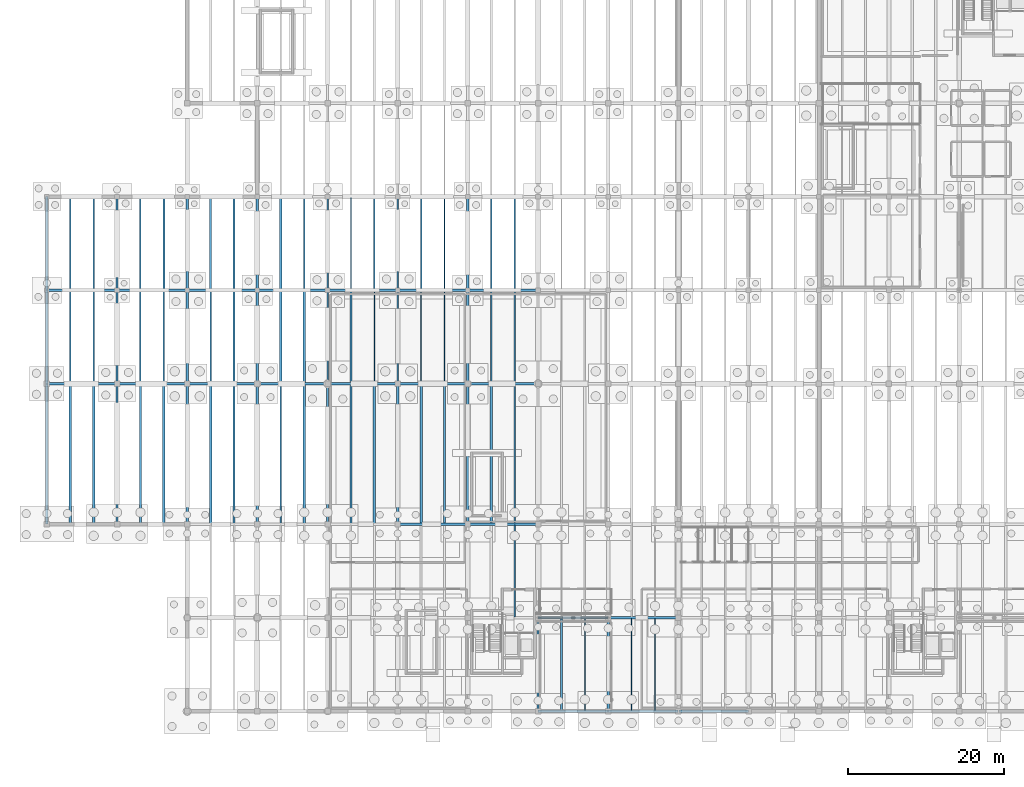
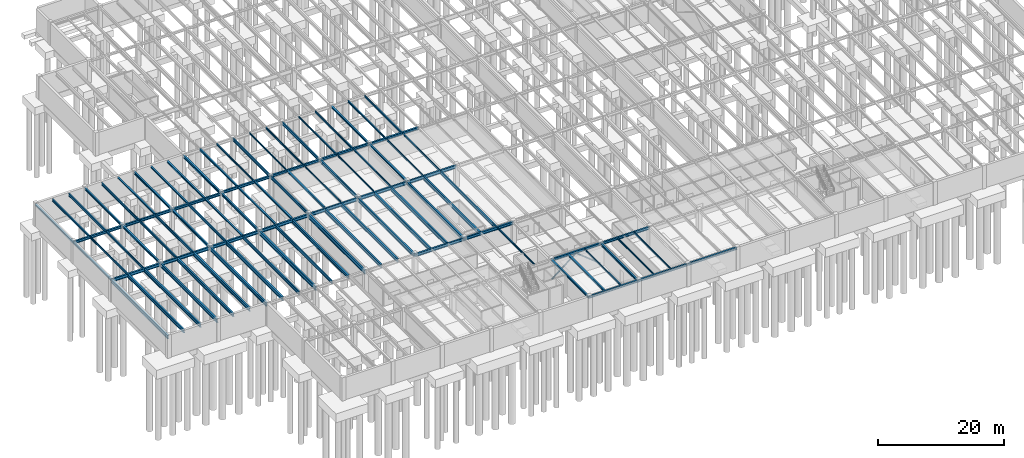
# One storey, part 15 of 40: 91 beams, 2 members.
"""IFC4 building model written with IfcOpenShell, lengths in metres."""

from ifc_helpers import new_model, si_unit, direction, frame, origin, origin_2d, place, context, subcontext, project, spatial, hollow_circle, i_section, extrude, material, material_profile, profile_set, type_object, element, save


model = new_model("IFC4")

# Units and contexts
model_context = context("Model", 3, precision=1e-05, world=origin(), true_north=direction((0.0, 1.0)))
body_context = subcontext(model_context, "Body", "Model", "MODEL_VIEW")
ifc_project = project(units=[si_unit("LENGTHUNIT", "METRE"), si_unit("AREAUNIT", "SQUARE_METRE"), si_unit("VOLUMEUNIT", "CUBIC_METRE"), si_unit("PLANEANGLEUNIT", "RADIAN"), si_unit("MASSUNIT", "GRAM", prefix="KILO")], contexts=[model_context])

# Site, building, storey
site_placement = place(None, origin())
site = spatial("IfcSite", under=ifc_project, at=site_placement, CompositionType="ELEMENT")
building_placement = place(site_placement, origin())
building = spatial("IfcBuilding", under=site, at=building_placement, Name="Montelvaro Courts of Justice", CompositionType="ELEMENT")
storey_placement = place(building_placement, frame((0.0, 0.0, -4.5)))
storey = spatial("IfcBuildingStorey", under=building, at=storey_placement, Name="B01", CompositionType="ELEMENT", Elevation=-4.5)

# Beams
ifc_material = material(Name="Steel S355", Category="steel")
ifc_material_profile_1 = material_profile(ifc_material, i_section(OverallWidth=0.280029296875, OverallDepth=0.27001953125, WebThickness=0.008056640625, FlangeThickness=0.012939453125, at=origin_2d()), Name="HEA 280")
ifc_profile_set_1 = profile_set([ifc_material_profile_1], Name="Steel S355")
beam_type_1 = type_object("IfcBeamType", Name="Beam_HEA280", PredefinedType="BEAM", material=ifc_profile_set_1)
for number, where, z_axis, x_axis, name in (
    (1, (15.0, 54.110107421875, 4.02490234375), (0.0, 1.0, 0.0), (-1.0, 0.0, 0.0), "Beam B-14 B01"),
    (2, (24.0, 42.110107421875, 4.02490234375), (0.0, 1.0, 0.0), (-1.0, 0.0, 0.0), "Beam B-14 B01"),
    (3, (21.0, 54.110107421875, 4.02490234375), (0.0, 1.0, 0.0), (-1.0, 0.0, 0.0), "Beam B-14 B01"),
    (4, (30.0, 42.110107421875, 4.18505859375), (0.0, 1.0, 0.0), (-1.0, 0.0, 0.0), "Beam B-14 B01"),
):
    element("IfcBeam", number, at=place(storey_placement, frame(where, z_axis=z_axis, x_axis=x_axis)), inside=storey, type_object=beam_type_1, Name=name, PredefinedType="BEAM", context=body_context, shape_type="SweptSolid", body=[
        extrude(i_section(OverallWidth=0.280029296875, OverallDepth=0.27001953125, WebThickness=0.008056640625, FlangeThickness=0.012939453125, at=origin_2d()), origin(), (0.0, 0.0, 1.0), 11.77978515625),
    ])
ifc_material_profile_2 = material_profile(ifc_material, i_section(OverallWidth=0.300048828125, OverallDepth=0.31005859375, WebThickness=0.009033203125, FlangeThickness=0.015380859375, at=origin_2d()), Name="HEA 320")
ifc_profile_set_2 = profile_set([ifc_material_profile_2], Name="Steel S355")
beam_type_2 = type_object("IfcBeamType", Name="Beam_HEA320", PredefinedType="BEAM", material=ifc_profile_set_2)
for number, where, z_axis, x_axis, name in (
    (5, (24.0, 54.110107421875, 4.0048828125), (0.0, 1.0, 0.0), (-1.0, 0.0, 0.0), "Beam B-15 B01"),
    (6, (33.0, 42.110107421875, 4.1650390625), (0.0, 1.0, 0.0), (-1.0, 0.0, 0.0), "Beam B-15 B01"),
    (7, (30.0, 54.110107421875, 4.1650390625), (0.0, 1.0, 0.0), (-1.0, 0.0, 0.0), "Beam B-15 B01"),
    (8, (39.0, 42.110107421875, 4.1650390625), (0.0, 1.0, 0.0), (-1.0, 0.0, 0.0), "Beam B-15 B01"),
    (9, (66.0, 0.110107421875, 4.02490234375), (0.0, 1.0, 0.0), (-1.0, 0.0, 0.0), "Beam B-15 B01"),
):
    element("IfcBeam", number, at=place(storey_placement, frame(where, z_axis=z_axis, x_axis=x_axis)), inside=storey, type_object=beam_type_2, Name=name, PredefinedType="BEAM", context=body_context, shape_type="SweptSolid", body=[
        extrude(i_section(OverallWidth=0.300048828125, OverallDepth=0.31005859375, WebThickness=0.009033203125, FlangeThickness=0.015380859375, at=origin_2d()), origin(), (0.0, 0.0, 1.0), 11.77978515625),
    ])
ifc_material_profile_3 = material_profile(ifc_material, i_section(OverallWidth=0.300048828125, OverallDepth=0.35009765625, WebThickness=0.010009765625, FlangeThickness=0.017578125, at=origin_2d()), Name="HEA 360")
ifc_profile_set_3 = profile_set([ifc_material_profile_3], Name="Steel S355")
beam_type_3 = type_object("IfcBeamType", Name="Beam_HEA360", PredefinedType="USERDEFINED", material=ifc_profile_set_3)
for number, where, z_axis, x_axis, name in (
    (10, (0.0, 42.0, 3.985107421875), (0.0, 1.0, 0.0), (-1.0, 0.0, 0.0), "Beam B-16 B01"),
    (11, (0.0, 54.0, 3.985107421875), (0.0, 1.0, 0.0), (-1.0, 0.0, 0.0), "Beam B-16 B01"),
    (12, (54.0, 42.0, 4.044921875), (0.0, 1.0, 0.0), (-1.0, 0.0, 0.0), "Beam B-16 B01"),
    (13, (54.0, 54.0, 4.044921875), (0.0, 1.0, 0.0), (-1.0, 0.0, 0.0), "Beam B-16 B01"),
):
    element("IfcBeam", number, at=place(storey_placement, frame(where, z_axis=z_axis, x_axis=x_axis)), inside=storey, type_object=beam_type_3, Name=name, ObjectType="GIRDER", PredefinedType="USERDEFINED", context=body_context, shape_type="SweptSolid", body=[
        extrude(i_section(OverallWidth=0.300048828125, OverallDepth=0.35009765625, WebThickness=0.010009765625, FlangeThickness=0.017578125, at=origin_2d()), origin(), (0.0, 0.0, 1.0), 12.0),
    ])
ifc_material_profile_4 = material_profile(ifc_material, i_section(OverallWidth=0.300048828125, OverallDepth=0.389892578125, WebThickness=0.010986328125, FlangeThickness=0.01904296875, at=origin_2d()), Name="HEA 400")
ifc_profile_set_4 = profile_set([ifc_material_profile_4], Name="Steel S355")
beam_type_4 = type_object("IfcBeamType", Name="Beam_HEA400", PredefinedType="USERDEFINED", material=ifc_profile_set_4)
for number, where, z_axis, x_axis, name in (
    (14, (9.0, 42.0, 3.965087890625), (0.0, 1.0, 0.0), (-1.0, 0.0, 0.0), "Beam B-17 B01"),
    (15, (9.0, 54.0, 3.965087890625), (0.0, 1.0, 0.0), (-1.0, 0.0, 0.0), "Beam B-17 B01"),
    (16, (63.0, 0.0, 3.985107421875), (0.0, 1.0, 0.0), (-1.0, 0.0, 0.0), "Beam B-17 B01"),
):
    element("IfcBeam", number, at=place(storey_placement, frame(where, z_axis=z_axis, x_axis=x_axis)), inside=storey, type_object=beam_type_4, Name=name, ObjectType="GIRDER", PredefinedType="USERDEFINED", context=body_context, shape_type="SweptSolid", body=[
        extrude(i_section(OverallWidth=0.300048828125, OverallDepth=0.389892578125, WebThickness=0.010986328125, FlangeThickness=0.01904296875, at=origin_2d()), origin(), (0.0, 0.0, 1.0), 12.0),
    ])
ifc_material_profile_5 = material_profile(ifc_material, i_section(OverallWidth=0.300048828125, OverallDepth=0.43994140625, WebThickness=0.011474609375, FlangeThickness=0.02099609375, at=origin_2d()), Name="HEA 450")
ifc_profile_set_5 = profile_set([ifc_material_profile_5], Name="Steel S355")
beam_type_5 = type_object("IfcBeamType", Name="Beam_HEA450", PredefinedType="USERDEFINED", material=ifc_profile_set_5)
beam_1_placement = place(storey_placement, frame((63.0, 0.0, 4.10009765625), z_axis=(1.0, 0.0, 0.0), x_axis=(0.0, 1.0, 0.0)))
element("IfcBeam", 17, at=beam_1_placement, inside=storey, type_object=beam_type_5, Name="Beam B-18 B01", ObjectType="GIRDER", PredefinedType="USERDEFINED", context=body_context, shape_type="SweptSolid", body=[
    extrude(i_section(OverallWidth=0.300048828125, OverallDepth=0.43994140625, WebThickness=0.011474609375, FlangeThickness=0.02099609375, at=origin_2d()), origin(), (0.0, 0.0, 1.0), 9.0),
])
for number, where, z_axis, x_axis, name in (
    (18, (72.0, 0.0, 4.10009765625), (1.0, 0.0, 0.0), (0.0, 1.0, 0.0), "Beam B-18 B01"),
    (19, (81.050048828125, 0.0, 4.10009765625), (1.0, 0.0, 0.0), (0.0, 1.0, 0.0), "Beam B-18 B01"),
):
    element("IfcBeam", number, at=place(storey_placement, frame(where, z_axis=z_axis, x_axis=x_axis)), inside=storey, type_object=beam_type_5, Name=name, ObjectType="GIRDER", PredefinedType="USERDEFINED", context=body_context, shape_type="SweptSolid", body=[
        extrude(i_section(OverallWidth=0.300048828125, OverallDepth=0.43994140625, WebThickness=0.011474609375, FlangeThickness=0.02099609375, at=origin_2d()), origin(), (0.0, 0.0, 1.0), 8.949951171875),
    ])
for number, where, z_axis, x_axis, name in (
    (20, (18.0, 42.0, 3.93994140625), (0.0, 1.0, 0.0), (-1.0, 0.0, 0.0), "Beam B-18 B01"),
    (21, (18.0, 54.0, 3.93994140625), (0.0, 1.0, 0.0), (-1.0, 0.0, 0.0), "Beam B-18 B01"),
    (22, (72.0, 0.0, 3.9599609375), (0.0, 1.0, 0.0), (-1.0, 0.0, 0.0), "Beam B-18 B01"),
):
    element("IfcBeam", number, at=place(storey_placement, frame(where, z_axis=z_axis, x_axis=x_axis)), inside=storey, type_object=beam_type_5, Name=name, ObjectType="GIRDER", PredefinedType="USERDEFINED", context=body_context, shape_type="SweptSolid", body=[
        extrude(i_section(OverallWidth=0.300048828125, OverallDepth=0.43994140625, WebThickness=0.011474609375, FlangeThickness=0.02099609375, at=origin_2d()), origin(), (0.0, 0.0, 1.0), 12.0),
    ])
ifc_material_profile_6 = material_profile(ifc_material, i_section(OverallWidth=0.300048828125, OverallDepth=0.489990234375, WebThickness=0.011962890625, FlangeThickness=0.02294921875, at=origin_2d()), Name="HEA 500")
ifc_profile_set_6 = profile_set([ifc_material_profile_6], Name="Steel S355")
beam_type_6 = type_object("IfcBeamType", Name="Beam_HEA500", PredefinedType="USERDEFINED", material=ifc_profile_set_6)
beam_2_placement = place(storey_placement, frame((63.0, 12.0, 3.93505859375), z_axis=(1.0, 0.0, 0.0), x_axis=(0.0, 1.0, 0.0)))
element("IfcBeam", 23, at=beam_2_placement, inside=storey, type_object=beam_type_6, Name="Beam B-19 B01", ObjectType="GIRDER", PredefinedType="USERDEFINED", context=body_context, shape_type="SweptSolid", body=[
    extrude(i_section(OverallWidth=0.300048828125, OverallDepth=0.489990234375, WebThickness=0.011962890625, FlangeThickness=0.02294921875, at=origin_2d()), origin(), (0.0, 0.0, 1.0), 9.0),
])
beam_3_placement = place(storey_placement, frame((72.0, 12.0, 3.93505859375), z_axis=(1.0, 0.0, 0.0), x_axis=(0.0, 1.0, 0.0)))
element("IfcBeam", 24, at=beam_3_placement, inside=storey, type_object=beam_type_6, Name="Beam B-19 B01", ObjectType="GIRDER", PredefinedType="USERDEFINED", context=body_context, shape_type="SweptSolid", body=[
    extrude(i_section(OverallWidth=0.300048828125, OverallDepth=0.489990234375, WebThickness=0.011962890625, FlangeThickness=0.02294921875, at=origin_2d()), origin(), (0.0, 0.0, 1.0), 8.949951171875),
])
for number, where, z_axis, x_axis, name in (
    (25, (27.0, 42.0, 3.9150390625), (0.0, 1.0, 0.0), (-1.0, 0.0, 0.0), "Beam B-19 B01"),
    (26, (27.0, 54.0, 3.9150390625), (0.0, 1.0, 0.0), (-1.0, 0.0, 0.0), "Beam B-19 B01"),
):
    element("IfcBeam", number, at=place(storey_placement, frame(where, z_axis=z_axis, x_axis=x_axis)), inside=storey, type_object=beam_type_6, Name=name, ObjectType="GIRDER", PredefinedType="USERDEFINED", context=body_context, shape_type="SweptSolid", body=[
        extrude(i_section(OverallWidth=0.300048828125, OverallDepth=0.489990234375, WebThickness=0.011962890625, FlangeThickness=0.02294921875, at=origin_2d()), origin(), (0.0, 0.0, 1.0), 12.0),
    ])
ifc_material_profile_7 = material_profile(ifc_material, i_section(OverallWidth=0.300048828125, OverallDepth=0.5400390625, WebThickness=0.012451171875, FlangeThickness=0.02392578125, at=origin_2d()), Name="HEA 550")
ifc_profile_set_7 = profile_set([ifc_material_profile_7], Name="Steel S355")
beam_type_7 = type_object("IfcBeamType", Name="Beam_HEA550", PredefinedType="USERDEFINED", material=ifc_profile_set_7)
for number, where, z_axis, x_axis, name in (
    (27, (45.0, 24.0, 3.889892578125), (1.0, 0.0, 0.0), (0.0, 1.0, 0.0), "Beam B-20 B01"),
    (28, (54.0, 24.0, 3.889892578125), (1.0, 0.0, 0.0), (0.0, 1.0, 0.0), "Beam B-20 B01"),
):
    element("IfcBeam", number, at=place(storey_placement, frame(where, z_axis=z_axis, x_axis=x_axis)), inside=storey, type_object=beam_type_7, Name=name, ObjectType="GIRDER", PredefinedType="USERDEFINED", context=body_context, shape_type="SweptSolid", body=[
        extrude(i_section(OverallWidth=0.300048828125, OverallDepth=0.5400390625, WebThickness=0.012451171875, FlangeThickness=0.02392578125, at=origin_2d()), origin(), (0.0, 0.0, 1.0), 9.0),
    ])
ifc_material_profile_8 = material_profile(ifc_material, i_section(OverallWidth=0.300048828125, OverallDepth=0.590087890625, WebThickness=0.012939453125, FlangeThickness=0.02490234375, at=origin_2d()), Name="HEA 600")
ifc_profile_set_8 = profile_set([ifc_material_profile_8], Name="Steel S355")
beam_type_8 = type_object("IfcBeamType", Name="Beam_HEA600", PredefinedType="USERDEFINED", material=ifc_profile_set_8)
for number, where, z_axis, x_axis, name in (
    (29, (0.0, 42.0, 3.864990234375), (1.0, 0.0, 0.0), (0.0, 1.0, 0.0), "Beam B-21 B01"),
    (30, (9.0, 42.0, 3.864990234375), (1.0, 0.0, 0.0), (0.0, 1.0, 0.0), "Beam B-21 B01"),
    (31, (18.0, 42.0, 3.864990234375), (1.0, 0.0, 0.0), (0.0, 1.0, 0.0), "Beam B-21 B01"),
    (32, (27.0, 42.0, 3.864990234375), (1.0, 0.0, 0.0), (0.0, 1.0, 0.0), "Beam B-21 B01"),
    (33, (36.0, 42.0, 3.864990234375), (1.0, 0.0, 0.0), (0.0, 1.0, 0.0), "Beam B-21 B01"),
    (34, (45.0, 42.0, 3.864990234375), (1.0, 0.0, 0.0), (0.0, 1.0, 0.0), "Beam B-21 B01"),
    (35, (54.0, 42.0, 3.864990234375), (1.0, 0.0, 0.0), (0.0, 1.0, 0.0), "Beam B-21 B01"),
):
    element("IfcBeam", number, at=place(storey_placement, frame(where, z_axis=z_axis, x_axis=x_axis)), inside=storey, type_object=beam_type_8, Name=name, ObjectType="GIRDER", PredefinedType="USERDEFINED", context=body_context, shape_type="SweptSolid", body=[
        extrude(i_section(OverallWidth=0.300048828125, OverallDepth=0.590087890625, WebThickness=0.012939453125, FlangeThickness=0.02490234375, at=origin_2d()), origin(), (0.0, 0.0, 1.0), 9.0),
    ])
ifc_material_profile_9 = material_profile(ifc_material, i_section(OverallWidth=0.300048828125, OverallDepth=0.639892578125, WebThickness=0.013427734375, FlangeThickness=0.02587890625, at=origin_2d()), Name="HEA 650")
ifc_profile_set_9 = profile_set([ifc_material_profile_9], Name="Steel S355")
beam_type_9 = type_object("IfcBeamType", Name="Beam_HEA650", PredefinedType="USERDEFINED", material=ifc_profile_set_9)
for number, where, z_axis, x_axis, name in (
    (36, (6.0, 24.110107421875, 3.840087890625), (0.0, 1.0, 0.0), (-1.0, 0.0, 0.0), "Beam B-22 B01"),
    (37, (12.0, 24.110107421875, 3.840087890625), (0.0, 1.0, 0.0), (-1.0, 0.0, 0.0), "Beam B-22 B01"),
    (38, (42.0, 24.110107421875, 3.840087890625), (0.0, 1.0, 0.0), (-1.0, 0.0, 0.0), "Beam B-22 B01"),
    (39, (48.0, 24.110107421875, 3.840087890625), (0.0, 1.0, 0.0), (-1.0, 0.0, 0.0), "Beam B-22 B01"),
):
    element("IfcBeam", number, at=place(storey_placement, frame(where, z_axis=z_axis, x_axis=x_axis)), inside=storey, type_object=beam_type_9, Name=name, ObjectType="GIRDER", PredefinedType="USERDEFINED", context=body_context, shape_type="SweptSolid", body=[
        extrude(i_section(OverallWidth=0.300048828125, OverallDepth=0.639892578125, WebThickness=0.013427734375, FlangeThickness=0.02587890625, at=origin_2d()), origin(), (0.0, 0.0, 1.0), 17.77978515625),
    ])
ifc_material_profile_10 = material_profile(ifc_material, i_section(OverallWidth=0.300048828125, OverallDepth=0.68994140625, WebThickness=0.014404296875, FlangeThickness=0.027099609375, at=origin_2d()), Name="HEA 700")
ifc_profile_set_10 = profile_set([ifc_material_profile_10], Name="Steel S355")
beam_type_10 = type_object("IfcBeamType", Name="Beam_HEA700", PredefinedType="USERDEFINED", material=ifc_profile_set_10)
beam_4_placement = place(storey_placement, frame((18.0, 24.0, 3.81494140625), z_axis=(0.0, 1.0, 0.0), x_axis=(-1.0, 0.0, 0.0)))
element("IfcBeam", 40, at=beam_4_placement, inside=storey, type_object=beam_type_10, Name="Beam B-23 B01", ObjectType="GIRDER", PredefinedType="USERDEFINED", context=body_context, shape_type="SweptSolid", body=[
    extrude(i_section(OverallWidth=0.300048828125, OverallDepth=0.68994140625, WebThickness=0.014404296875, FlangeThickness=0.027099609375, at=origin_2d()), origin(), (0.0, 0.0, 1.0), 18.0),
])
for number, where, z_axis, x_axis, name in (
    (41, (15.0, 24.110107421875, 3.81494140625), (0.0, 1.0, 0.0), (-1.0, 0.0, 0.0), "Beam B-23 B01"),
    (42, (21.0, 24.110107421875, 3.81494140625), (0.0, 1.0, 0.0), (-1.0, 0.0, 0.0), "Beam B-23 B01"),
    (43, (51.0, 24.110107421875, 3.81494140625), (0.0, 1.0, 0.0), (-1.0, 0.0, 0.0), "Beam B-23 B01"),
    (44, (57.0, 24.110107421875, 3.81494140625), (0.0, 1.0, 0.0), (-1.0, 0.0, 0.0), "Beam B-23 B01"),
):
    element("IfcBeam", number, at=place(storey_placement, frame(where, z_axis=z_axis, x_axis=x_axis)), inside=storey, type_object=beam_type_10, Name=name, ObjectType="GIRDER", PredefinedType="USERDEFINED", context=body_context, shape_type="SweptSolid", body=[
        extrude(i_section(OverallWidth=0.300048828125, OverallDepth=0.68994140625, WebThickness=0.014404296875, FlangeThickness=0.027099609375, at=origin_2d()), origin(), (0.0, 0.0, 1.0), 17.77978515625),
    ])
ifc_material_profile_11 = material_profile(ifc_material, i_section(OverallWidth=0.300048828125, OverallDepth=0.7900390625, WebThickness=0.014892578125, FlangeThickness=0.028076171875, at=origin_2d()), Name="HEA 800")
ifc_profile_set_11 = profile_set([ifc_material_profile_11], Name="Steel S355")
beam_type_11 = type_object("IfcBeamType", Name="Beam_HEA800", PredefinedType="USERDEFINED", material=ifc_profile_set_11)
beam_5_placement = place(storey_placement, frame((27.0, 24.0, 3.764892578125), z_axis=(0.0, 1.0, 0.0), x_axis=(-1.0, 0.0, 0.0)))
element("IfcBeam", 45, at=beam_5_placement, inside=storey, type_object=beam_type_11, Name="Beam B-24 B01", ObjectType="GIRDER", PredefinedType="USERDEFINED", context=body_context, shape_type="SweptSolid", body=[
    extrude(i_section(OverallWidth=0.300048828125, OverallDepth=0.7900390625, WebThickness=0.014892578125, FlangeThickness=0.028076171875, at=origin_2d()), origin(), (0.0, 0.0, 1.0), 18.0),
])
ifc_material_profile_12 = material_profile(ifc_material, i_section(OverallWidth=0.300048828125, OverallDepth=0.5, WebThickness=0.014404296875, FlangeThickness=0.028076171875, at=origin_2d()), Name="HEB 500")
ifc_profile_set_12 = profile_set([ifc_material_profile_12], Name="Steel S355")
beam_type_12 = type_object("IfcBeamType", Name="Beam_HEB500", PredefinedType="USERDEFINED", material=ifc_profile_set_12)
for number, where, z_axis, x_axis, name in (
    (46, (0.0, 54.0, 3.909912109375), (1.0, 0.0, 0.0), (0.0, 1.0, 0.0), "Beam B-25 B01"),
    (47, (9.0, 54.0, 3.909912109375), (1.0, 0.0, 0.0), (0.0, 1.0, 0.0), "Beam B-25 B01"),
    (48, (18.0, 54.0, 3.909912109375), (1.0, 0.0, 0.0), (0.0, 1.0, 0.0), "Beam B-25 B01"),
    (49, (27.0, 54.0, 4.070068359375), (1.0, 0.0, 0.0), (0.0, 1.0, 0.0), "Beam B-25 B01"),
    (50, (36.0, 54.0, 4.070068359375), (1.0, 0.0, 0.0), (0.0, 1.0, 0.0), "Beam B-25 B01"),
    (51, (45.0, 54.0, 4.070068359375), (1.0, 0.0, 0.0), (0.0, 1.0, 0.0), "Beam B-25 B01"),
    (52, (54.0, 54.0, 3.969970703125), (1.0, 0.0, 0.0), (0.0, 1.0, 0.0), "Beam B-25 B01"),
):
    element("IfcBeam", number, at=place(storey_placement, frame(where, z_axis=z_axis, x_axis=x_axis)), inside=storey, type_object=beam_type_12, Name=name, ObjectType="GIRDER", PredefinedType="USERDEFINED", context=body_context, shape_type="SweptSolid", body=[
        extrude(i_section(OverallWidth=0.300048828125, OverallDepth=0.5, WebThickness=0.014404296875, FlangeThickness=0.028076171875, at=origin_2d()), origin(), (0.0, 0.0, 1.0), 9.0),
    ])
ifc_material_profile_13 = material_profile(ifc_material, i_section(OverallWidth=0.300048828125, OverallDepth=0.64990234375, WebThickness=0.01611328125, FlangeThickness=0.031005859375, at=origin_2d()), Name="HEB 650")
ifc_profile_set_13 = profile_set([ifc_material_profile_13], Name="Steel S355")
beam_type_13 = type_object("IfcBeamType", Name="Beam_HEB650", PredefinedType="USERDEFINED", material=ifc_profile_set_13)
for number, where, z_axis, x_axis, name in (
    (53, (0.0, 24.0, 3.8349609375), (0.0, 1.0, 0.0), (-1.0, 0.0, 0.0), "Beam B-27 B01"),
    (54, (45.0, 24.0, 3.8349609375), (0.0, 1.0, 0.0), (-1.0, 0.0, 0.0), "Beam B-27 B01"),
):
    element("IfcBeam", number, at=place(storey_placement, frame(where, z_axis=z_axis, x_axis=x_axis)), inside=storey, type_object=beam_type_13, Name=name, ObjectType="GIRDER", PredefinedType="USERDEFINED", context=body_context, shape_type="SweptSolid", body=[
        extrude(i_section(OverallWidth=0.300048828125, OverallDepth=0.64990234375, WebThickness=0.01611328125, FlangeThickness=0.031005859375, at=origin_2d()), origin(), (0.0, 0.0, 1.0), 18.0),
    ])
for number, where, z_axis, x_axis, name in (
    (55, (3.0, 24.110107421875, 3.8349609375), (0.0, 1.0, 0.0), (-1.0, 0.0, 0.0), "Beam B-27 B01"),
    (56, (33.0, 24.110107421875, 3.8349609375), (0.0, 1.0, 0.0), (-1.0, 0.0, 0.0), "Beam B-27 B01"),
    (57, (39.0, 24.110107421875, 3.8349609375), (0.0, 1.0, 0.0), (-1.0, 0.0, 0.0), "Beam B-27 B01"),
):
    element("IfcBeam", number, at=place(storey_placement, frame(where, z_axis=z_axis, x_axis=x_axis)), inside=storey, type_object=beam_type_13, Name=name, ObjectType="GIRDER", PredefinedType="USERDEFINED", context=body_context, shape_type="SweptSolid", body=[
        extrude(i_section(OverallWidth=0.300048828125, OverallDepth=0.64990234375, WebThickness=0.01611328125, FlangeThickness=0.031005859375, at=origin_2d()), origin(), (0.0, 0.0, 1.0), 17.77978515625),
    ])
ifc_material_profile_14 = material_profile(ifc_material, i_section(OverallWidth=0.300048828125, OverallDepth=0.699951171875, WebThickness=0.01708984375, FlangeThickness=0.031982421875, at=origin_2d()), Name="HEB 700")
ifc_profile_set_14 = profile_set([ifc_material_profile_14], Name="Steel S355")
beam_type_14 = type_object("IfcBeamType", Name="Beam_HEB700", PredefinedType="USERDEFINED", material=ifc_profile_set_14)
for number, where, z_axis, x_axis, name in (
    (58, (9.0, 24.0, 3.81005859375), (0.0, 1.0, 0.0), (-1.0, 0.0, 0.0), "Beam B-28 B01"),
    (59, (54.0, 24.0, 3.81005859375), (0.0, 1.0, 0.0), (-1.0, 0.0, 0.0), "Beam B-28 B01"),
):
    element("IfcBeam", number, at=place(storey_placement, frame(where, z_axis=z_axis, x_axis=x_axis)), inside=storey, type_object=beam_type_14, Name=name, ObjectType="GIRDER", PredefinedType="USERDEFINED", context=body_context, shape_type="SweptSolid", body=[
        extrude(i_section(OverallWidth=0.300048828125, OverallDepth=0.699951171875, WebThickness=0.01708984375, FlangeThickness=0.031982421875, at=origin_2d()), origin(), (0.0, 0.0, 1.0), 18.0),
    ])
ifc_material_profile_15 = material_profile(ifc_material, i_section(OverallWidth=0.300048828125, OverallDepth=0.800048828125, WebThickness=0.017578125, FlangeThickness=0.032958984375, at=origin_2d()), Name="HEB 800")
ifc_profile_set_15 = profile_set([ifc_material_profile_15], Name="Steel S355")
beam_type_15 = type_object("IfcBeamType", Name="Beam_HEB800", PredefinedType="USERDEFINED", material=ifc_profile_set_15)
beam_6_placement = place(storey_placement, frame((36.0, 24.0, 3.760009765625), z_axis=(0.0, 1.0, 0.0), x_axis=(-1.0, 0.0, 0.0)))
element("IfcBeam", 60, at=beam_6_placement, inside=storey, type_object=beam_type_15, Name="Beam B-29 B01", ObjectType="GIRDER", PredefinedType="USERDEFINED", context=body_context, shape_type="SweptSolid", body=[
    extrude(i_section(OverallWidth=0.300048828125, OverallDepth=0.800048828125, WebThickness=0.017578125, FlangeThickness=0.032958984375, at=origin_2d()), origin(), (0.0, 0.0, 1.0), 18.0),
])
ifc_material_profile_16 = material_profile(ifc_material, i_section(OverallWidth=0.14990234375, OverallDepth=0.300048828125, WebThickness=0.007080078125, FlangeThickness=0.0107421875, at=origin_2d()), Name="IPE 300")
ifc_profile_set_16 = profile_set([ifc_material_profile_16], Name="Steel S355")
beam_type_16 = type_object("IfcBeamType", Name="Beam_IPE300", PredefinedType="BEAM", material=ifc_profile_set_16)
for number, where, z_axis, x_axis, name in (
    (61, (33.0, 54.110107421875, 4.169921875), (0.0, 1.0, 0.0), (-1.0, 0.0, 0.0), "Beam B-05 B01"),
    (62, (42.0, 42.110107421875, 4.169921875), (0.0, 1.0, 0.0), (-1.0, 0.0, 0.0), "Beam B-05 B01"),
    (63, (39.0, 54.110107421875, 4.169921875), (0.0, 1.0, 0.0), (-1.0, 0.0, 0.0), "Beam B-05 B01"),
    (64, (48.0, 42.110107421875, 4.169921875), (0.0, 1.0, 0.0), (-1.0, 0.0, 0.0), "Beam B-05 B01"),
    (65, (60.0, 12.110107421875, 4.030029296875), (0.0, 1.0, 0.0), (-1.0, 0.0, 0.0), "Beam B-05 B01"),
    (66, (69.0, 0.110107421875, 4.030029296875), (0.0, 1.0, 0.0), (-1.0, 0.0, 0.0), "Beam B-05 B01"),
    (67, (75.0, 0.110107421875, 4.030029296875), (0.0, 1.0, 0.0), (-1.0, 0.0, 0.0), "Beam B-05 B01"),
):
    element("IfcBeam", number, at=place(storey_placement, frame(where, z_axis=z_axis, x_axis=x_axis)), inside=storey, type_object=beam_type_16, Name=name, PredefinedType="BEAM", context=body_context, shape_type="SweptSolid", body=[
        extrude(i_section(OverallWidth=0.14990234375, OverallDepth=0.300048828125, WebThickness=0.007080078125, FlangeThickness=0.0107421875, at=origin_2d()), origin(), (0.0, 0.0, 1.0), 11.77978515625),
    ])
ifc_material_profile_17 = material_profile(ifc_material, i_section(OverallWidth=0.159912109375, OverallDepth=0.330078125, WebThickness=0.007568359375, FlangeThickness=0.011474609375, at=origin_2d()), Name="IPE 330")
ifc_profile_set_17 = profile_set([ifc_material_profile_17], Name="Steel S355")
beam_type_17 = type_object("IfcBeamType", Name="Beam_IPE330", PredefinedType="BEAM", material=ifc_profile_set_17)
for number, where, z_axis, x_axis, name in (
    (68, (42.0, 54.110107421875, 4.155029296875), (0.0, 1.0, 0.0), (-1.0, 0.0, 0.0), "Beam B-06 B01"),
    (69, (51.0, 42.110107421875, 4.155029296875), (0.0, 1.0, 0.0), (-1.0, 0.0, 0.0), "Beam B-06 B01"),
    (70, (48.0, 54.110107421875, 4.155029296875), (0.0, 1.0, 0.0), (-1.0, 0.0, 0.0), "Beam B-06 B01"),
    (71, (57.0, 42.110107421875, 4.054931640625), (0.0, 1.0, 0.0), (-1.0, 0.0, 0.0), "Beam B-06 B01"),
    (72, (78.0, 0.110107421875, 4.155029296875), (0.0, 1.0, 0.0), (-1.0, 0.0, 0.0), "Beam B-06 B01"),
):
    element("IfcBeam", number, at=place(storey_placement, frame(where, z_axis=z_axis, x_axis=x_axis)), inside=storey, type_object=beam_type_17, Name=name, PredefinedType="BEAM", context=body_context, shape_type="SweptSolid", body=[
        extrude(i_section(OverallWidth=0.159912109375, OverallDepth=0.330078125, WebThickness=0.007568359375, FlangeThickness=0.011474609375, at=origin_2d()), origin(), (0.0, 0.0, 1.0), 11.77978515625),
    ])
ifc_material_profile_18 = material_profile(ifc_material, i_section(OverallWidth=0.169921875, OverallDepth=0.360107421875, WebThickness=0.008056640625, FlangeThickness=0.0126953125, at=origin_2d()), Name="IPE 360")
ifc_profile_set_18 = profile_set([ifc_material_profile_18], Name="Steel S355")
beam_type_18 = type_object("IfcBeamType", Name="Beam_IPE360", PredefinedType="BEAM", material=ifc_profile_set_18)
for number, where, z_axis, x_axis, name in (
    (73, (51.0, 54.110107421875, 4.139892578125), (0.0, 1.0, 0.0), (-1.0, 0.0, 0.0), "Beam B-07 B01"),
    (74, (60.0, 42.110107421875, 4.0400390625), (0.0, 1.0, 0.0), (-1.0, 0.0, 0.0), "Beam B-07 B01"),
    (75, (57.0, 54.110107421875, 4.0400390625), (0.0, 1.0, 0.0), (-1.0, 0.0, 0.0), "Beam B-07 B01"),
):
    element("IfcBeam", number, at=place(storey_placement, frame(where, z_axis=z_axis, x_axis=x_axis)), inside=storey, type_object=beam_type_18, Name=name, PredefinedType="BEAM", context=body_context, shape_type="SweptSolid", body=[
        extrude(i_section(OverallWidth=0.169921875, OverallDepth=0.360107421875, WebThickness=0.008056640625, FlangeThickness=0.0126953125, at=origin_2d()), origin(), (0.0, 0.0, 1.0), 11.77978515625),
    ])
ifc_material_profile_19 = material_profile(ifc_material, i_section(OverallWidth=0.179931640625, OverallDepth=0.39990234375, WebThickness=0.008544921875, FlangeThickness=0.013427734375, at=origin_2d()), Name="IPE 400")
ifc_profile_set_19 = profile_set([ifc_material_profile_19], Name="Steel S355")
beam_type_19 = type_object("IfcBeamType", Name="Beam_IPE400", PredefinedType="BEAM", material=ifc_profile_set_19)
for number, where, z_axis, x_axis, name in (
    (76, (3.0, 42.110107421875, 3.9599609375), (0.0, 1.0, 0.0), (-1.0, 0.0, 0.0), "Beam B-08 B01"),
    (77, (60.0, 54.110107421875, 4.02001953125), (0.0, 1.0, 0.0), (-1.0, 0.0, 0.0), "Beam B-08 B01"),
):
    element("IfcBeam", number, at=place(storey_placement, frame(where, z_axis=z_axis, x_axis=x_axis)), inside=storey, type_object=beam_type_19, Name=name, PredefinedType="BEAM", context=body_context, shape_type="SweptSolid", body=[
        extrude(i_section(OverallWidth=0.179931640625, OverallDepth=0.39990234375, WebThickness=0.008544921875, FlangeThickness=0.013427734375, at=origin_2d()), origin(), (0.0, 0.0, 1.0), 11.77978515625),
    ])
ifc_material_profile_20 = material_profile(ifc_material, i_section(OverallWidth=0.18994140625, OverallDepth=0.449951171875, WebThickness=0.009521484375, FlangeThickness=0.0146484375, at=origin_2d()), Name="IPE 450")
ifc_profile_set_20 = profile_set([ifc_material_profile_20], Name="Steel S355")
beam_type_20 = type_object("IfcBeamType", Name="Beam_IPE450", PredefinedType="BEAM", material=ifc_profile_set_20)
for number, where, z_axis, x_axis, name in (
    (78, (6.0, 42.110107421875, 3.93505859375), (0.0, 1.0, 0.0), (-1.0, 0.0, 0.0), "Beam B-09 B01"),
    (79, (3.0, 54.110107421875, 3.93505859375), (0.0, 1.0, 0.0), (-1.0, 0.0, 0.0), "Beam B-09 B01"),
    (80, (12.0, 42.110107421875, 3.93505859375), (0.0, 1.0, 0.0), (-1.0, 0.0, 0.0), "Beam B-09 B01"),
):
    element("IfcBeam", number, at=place(storey_placement, frame(where, z_axis=z_axis, x_axis=x_axis)), inside=storey, type_object=beam_type_20, Name=name, PredefinedType="BEAM", context=body_context, shape_type="SweptSolid", body=[
        extrude(i_section(OverallWidth=0.18994140625, OverallDepth=0.449951171875, WebThickness=0.009521484375, FlangeThickness=0.0146484375, at=origin_2d()), origin(), (0.0, 0.0, 1.0), 11.77978515625),
    ])
ifc_material_profile_21 = material_profile(ifc_material, i_section(OverallWidth=0.199951171875, OverallDepth=0.5, WebThickness=0.01025390625, FlangeThickness=0.01611328125, at=origin_2d()), Name="IPE 500")
ifc_profile_set_21 = profile_set([ifc_material_profile_21], Name="Steel S355")
beam_type_21 = type_object("IfcBeamType", Name="Beam_IPE500", PredefinedType="BEAM", material=ifc_profile_set_21)
for number, where, z_axis, x_axis, name in (
    (81, (6.0, 54.110107421875, 3.909912109375), (0.0, 1.0, 0.0), (-1.0, 0.0, 0.0), "Beam B-10 B01"),
    (82, (15.0, 42.110107421875, 3.909912109375), (0.0, 1.0, 0.0), (-1.0, 0.0, 0.0), "Beam B-10 B01"),
    (83, (12.0, 54.110107421875, 3.909912109375), (0.0, 1.0, 0.0), (-1.0, 0.0, 0.0), "Beam B-10 B01"),
    (84, (21.0, 42.110107421875, 3.909912109375), (0.0, 1.0, 0.0), (-1.0, 0.0, 0.0), "Beam B-10 B01"),
):
    element("IfcBeam", number, at=place(storey_placement, frame(where, z_axis=z_axis, x_axis=x_axis)), inside=storey, type_object=beam_type_21, Name=name, PredefinedType="BEAM", context=body_context, shape_type="SweptSolid", body=[
        extrude(i_section(OverallWidth=0.199951171875, OverallDepth=0.5, WebThickness=0.01025390625, FlangeThickness=0.01611328125, at=origin_2d()), origin(), (0.0, 0.0, 1.0), 11.77978515625),
    ])
ifc_material_profile_22 = material_profile(ifc_material, i_section(OverallWidth=0.2099609375, OverallDepth=0.550048828125, WebThickness=0.010986328125, FlangeThickness=0.01708984375, at=origin_2d()), Name="IPE 550")
ifc_profile_set_22 = profile_set([ifc_material_profile_22], Name="Steel S355")
beam_type_22 = type_object("IfcBeamType", Name="Beam_IPE550", PredefinedType="BEAM", material=ifc_profile_set_22)
for number, where, z_axis, x_axis, name in (
    (85, (36.0, 42.0, 4.044921875), (0.0, 1.0, 0.0), (-1.0, 0.0, 0.0), "Beam B-11 B01"),
    (86, (36.0, 54.0, 4.044921875), (0.0, 1.0, 0.0), (-1.0, 0.0, 0.0), "Beam B-11 B01"),
):
    element("IfcBeam", number, at=place(storey_placement, frame(where, z_axis=z_axis, x_axis=x_axis)), inside=storey, type_object=beam_type_22, Name=name, PredefinedType="BEAM", context=body_context, shape_type="SweptSolid", body=[
        extrude(i_section(OverallWidth=0.2099609375, OverallDepth=0.550048828125, WebThickness=0.010986328125, FlangeThickness=0.01708984375, at=origin_2d()), origin(), (0.0, 0.0, 1.0), 12.0),
    ])
ifc_material_profile_23 = material_profile(ifc_material, i_section(OverallWidth=0.219970703125, OverallDepth=0.60009765625, WebThickness=0.011962890625, FlangeThickness=0.01904296875, at=origin_2d()), Name="IPE 600")
ifc_profile_set_23 = profile_set([ifc_material_profile_23], Name="Steel S355")
beam_type_23 = type_object("IfcBeamType", Name="Beam_IPE600", PredefinedType="USERDEFINED", material=ifc_profile_set_23)
for number, where, z_axis, x_axis, name in (
    (87, (45.0, 42.0, 4.02001953125), (0.0, 1.0, 0.0), (-1.0, 0.0, 0.0), "Beam B-12 B01"),
    (88, (45.0, 54.0, 4.02001953125), (0.0, 1.0, 0.0), (-1.0, 0.0, 0.0), "Beam B-12 B01"),
):
    element("IfcBeam", number, at=place(storey_placement, frame(where, z_axis=z_axis, x_axis=x_axis)), inside=storey, type_object=beam_type_23, Name=name, ObjectType="GIRDER", PredefinedType="USERDEFINED", context=body_context, shape_type="SweptSolid", body=[
        extrude(i_section(OverallWidth=0.219970703125, OverallDepth=0.60009765625, WebThickness=0.011962890625, FlangeThickness=0.01904296875, at=origin_2d()), origin(), (0.0, 0.0, 1.0), 12.0),
    ])
for number, where, z_axis, x_axis, name in (
    (89, (24.0, 24.110107421875, 3.860107421875), (0.0, 1.0, 0.0), (-1.0, 0.0, 0.0), "Beam B-12 B01"),
    (90, (30.0, 24.110107421875, 3.860107421875), (0.0, 1.0, 0.0), (-1.0, 0.0, 0.0), "Beam B-12 B01"),
    (91, (60.0, 24.110107421875, 3.860107421875), (0.0, 1.0, 0.0), (-1.0, 0.0, 0.0), "Beam B-12 B01"),
):
    element("IfcBeam", number, at=place(storey_placement, frame(where, z_axis=z_axis, x_axis=x_axis)), inside=storey, type_object=beam_type_23, Name=name, ObjectType="GIRDER", PredefinedType="USERDEFINED", context=body_context, shape_type="SweptSolid", body=[
        extrude(i_section(OverallWidth=0.219970703125, OverallDepth=0.60009765625, WebThickness=0.011962890625, FlangeThickness=0.01904296875, at=origin_2d()), origin(), (0.0, 0.0, 1.0), 17.77978515625),
    ])

# Members
ifc_material_profile_24 = material_profile(ifc_material, hollow_circle(Radius=0.136474609375, WallThickness=0.012451171875, at=origin_2d()), Name="CHS 273x12.5")
ifc_profile_set_24 = profile_set([ifc_material_profile_24], Name="Steel S355")
member_type = type_object("IfcMemberType", Name="Mem_CHS273_Brace", PredefinedType="BRACE", material=ifc_profile_set_24)
for number, where, z_axis, x_axis, name in (
    (92, (63.080078125, 12.0, 0.199951171875), (0.783104651655, 0.0, 0.621889945694), (0.0, 1.0, 0.0), "Lateral Braced Frame CBF1 Diagonal 1 (B01)"),
    (93, (71.919921875, 12.0, 0.199951171875), (-0.783104651655, 0.0, 0.621889945694), (0.0, -1.0, 0.0), "Lateral Braced Frame CBF1 Diagonal 2 (B01)"),
):
    element("IfcMember", number, at=place(storey_placement, frame(where, z_axis=z_axis, x_axis=x_axis)), inside=storey, type_object=member_type, Name=name, PredefinedType="BRACE", context=body_context, shape_type="SweptSolid", body=[
        extrude(hollow_circle(Radius=0.136474609375, WallThickness=0.012451171875, at=origin_2d()), origin(), (0.0, 0.0, 1.0), 5.64404296875),
    ])

save(model, "model.ifc")
